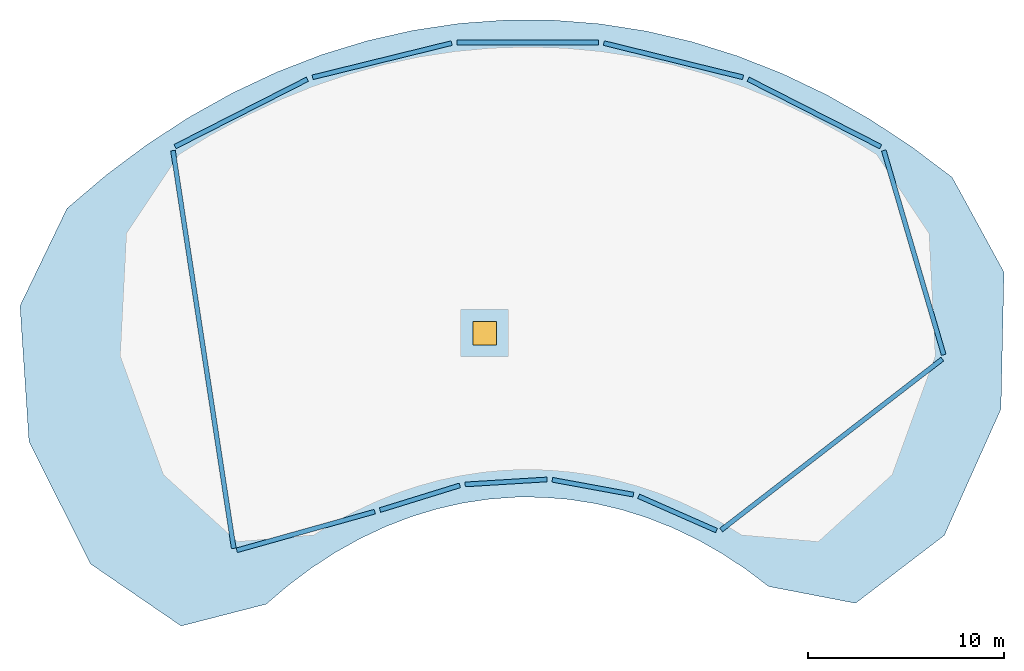
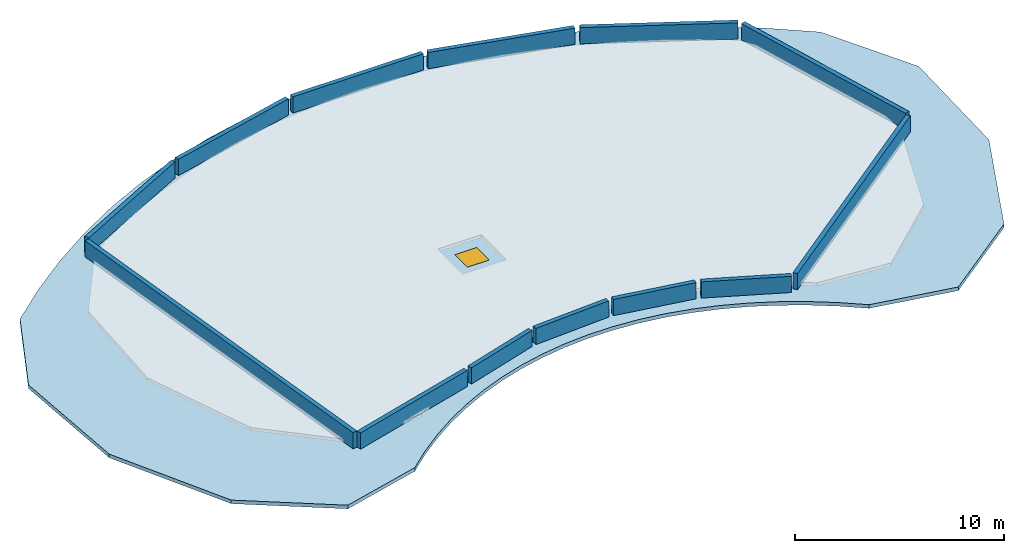
"""IFC4 building model written with IfcOpenShell, lengths in metres."""

from ifc_helpers import new_model, si_unit, direction, frame, frame_2d, origin, origin_2d, place, context, subcontext, project, spatial, polyline, rectangle, outline, extrude, source, transform, mapped, material, layer, layer_set, type_object, type_shapes, element, fill, save


model = new_model("IFC4")

# Units and contexts
model_context = context("Model", 3, precision=1e-05, world=origin(), true_north=direction((0.0, 1.0)))
body_context = subcontext(model_context, "Body", "Model", "MODEL_VIEW")
ifc_project = project(units=[si_unit("LENGTHUNIT", "METRE"), si_unit("AREAUNIT", "SQUARE_METRE"), si_unit("VOLUMEUNIT", "CUBIC_METRE"), si_unit("PLANEANGLEUNIT", "RADIAN"), si_unit("MASSUNIT", "GRAM", prefix="KILO")], contexts=[model_context])

# Site, building, storey
site_placement = place(None, origin())
site = spatial("IfcSite", under=ifc_project, at=site_placement, CompositionType="ELEMENT")
building_placement = place(site_placement, origin())
building = spatial("IfcBuilding", under=site, at=building_placement, Name="Breltana Convention Tower", CompositionType="ELEMENT")
storey_1_placement = place(building_placement, frame((0.0, 0.0, 328.199951171875)))
storey_1 = spatial("IfcBuildingStorey", under=building, at=storey_1_placement, Name="ROOF", CompositionType="ELEMENT", Elevation=328.199951171875)

# Slab, opening
ifc_material_1 = material(Name="Concrete C40/50", Category="concrete")
ifc_layer_1 = layer(ifc_material_1, 0.2099609375, Name="Concrete C40/50")
ifc_layer_set_1 = layer_set([ifc_layer_1], Name="Concrete C40/50")
slab_type = type_object("IfcSlabType", Name="SL-CANOPY-210", PredefinedType="ROOF", material=ifc_layer_set_1)
slab_placement = place(storey_1_placement, frame((0.0, 0.0, -0.2099609375)))
slab = element("IfcSlab", 1, at=slab_placement, inside=storey_1, type_object=slab_type, Name="L78 Curved Observation Crown Canopy Roof Slab", PredefinedType="ROOF", context=body_context, shape_type="SweptSolid", body=[
    extrude(outline(polyline([(69.68310546875, 70.356201171875), (67.602294921875, 71.92578125), (65.45849609375, 73.334716796875), (63.258544921875, 74.578369140625), (61.009521484375, 75.65283203125), (58.71875, 76.554931640625), (56.393310546875, 77.281494140625), (54.041015625, 77.830078125), (51.669189453125, 78.19921875), (49.28564453125, 78.3876953125), (46.89794921875, 78.394775390625), (44.513916015625, 78.22021484375), (42.140869140625, 77.864990234375), (39.78662109375, 77.330078125), (37.458984375, 76.6171875), (35.165283203125, 75.728515625), (32.91259765625, 74.6669921875), (30.708740234375, 73.43603515625), (28.560302734375, 72.039794921875), (26.474609375, 70.482666015625), (24.4580078125, 68.769287109375), (22.056884765625, 63.7900390625), (22.5166015625, 56.851318359375), (25.66162109375, 50.603271484375), (30.29052734375, 47.432861328125), (34.63525390625, 48.55078125), (35.780029296875, 49.523193359375), (36.964111328125, 50.407470703125), (38.183837890625, 51.2001953125), (39.43505859375, 51.898681640625), (40.713623046875, 52.50146484375), (42.015869140625, 53.005859375), (43.33740234375, 53.41064453125), (44.673828125, 53.71435546875), (46.02099609375, 53.916015625), (47.37451171875, 54.014892578125), (48.72998046875, 54.010986328125), (50.0830078125, 53.904052734375), (51.429443359375, 53.694580078125), (52.764892578125, 53.383056640625), (54.0849609375, 52.970703125), (55.385498046875, 52.45849609375), (56.662353515625, 51.848388671875), (57.9111328125, 51.142333984375), (59.128173828125, 50.342529296875), (60.309326171875, 49.45166015625), (64.745849609375, 48.596435546875), (69.27783203125, 52.060546875), (72.174560546875, 58.5205078125), (72.329345703125, 65.5087890625), (69.68310546875, 70.356201171875)])), origin(), (0.0, 0.0, 1.0), 0.2099609375),
])
opening_placement = place(slab_placement, frame((45.800048828125, 62.39990234375, -0.010009765625)))
opening = element("IfcOpeningElement", 2, at=opening_placement, cuts=slab, Name="Opening RH-01", PredefinedType="OPENING", context=body_context, shape_type="SweptSolid", body=[
    extrude(rectangle(XDim=1.199951171875, YDim=1.199951171875, at=origin_2d()), origin(), (0.0, 0.0, 1.0), 0.22998046875),
])

# Storey
storey_2_placement = place(building_placement, frame((0.0, 0.0, 323.39990234375)))
storey_2 = spatial("IfcBuildingStorey", under=building, at=storey_2_placement, Name="L78", CompositionType="ELEMENT", Elevation=323.39990234375)

# Door
ifc_material_2 = material(Name="Aluminium Insulated Roof Hatch", Category="aluminium")
door_type = type_object("IfcDoorType", Name="DR-HATCH-1200", OperationType="SINGLE_SWING_LEFT", PredefinedType="TRAPDOOR", material=ifc_material_2)
door_placement = place(slab_placement, frame((45.800048828125, 62.39990234375, 0.159912109375)))
door = element("IfcDoor", 3, at=door_placement, inside=storey_2, type_object=door_type, Name="Crown canopy maintenance access hatch", OperationType="SINGLE_SWING_LEFT", OverallHeight=1.199951171875, OverallWidth=1.199951171875, PredefinedType="TRAPDOOR", context=body_context, shape_type="SweptSolid", body=[
    extrude(rectangle(XDim=1.199951171875, YDim=1.199951171875, at=origin_2d()), origin(), (0.0, 0.0, 1.0), 0.050048828125),
])

fill(opening, door)

# Walls
ifc_material_3 = material(Name="Limestone Buff Insulated Wall", Category="masonry")
ifc_layer_2 = layer(ifc_material_3, 0.239990234375, Name="Limestone Buff Insulated Wall")
ifc_layer_set_2 = layer_set([ifc_layer_2], Name="Limestone Buff Insulated Wall")
wall_type = type_object("IfcWallType", Name="WL-PARAPET-240", PredefinedType="PARAPET", material=ifc_layer_set_2)
shared_shape_1 = source(origin(), body_context, "Body", "SweptSolid", [
    extrude(rectangle(XDim=7.591796875, YDim=0.239990234375, at=frame_2d((3.7958984375, 0.0))), origin(), (0.0, 0.0, 1.0), 0.949951171875),
])
type_shapes(wall_type, [shared_shape_1])
for number, where, z_axis, x_axis, name in (
    (4, (66.023681640625, 71.925048828125, 0.0), (0.0, 0.0, 1.0), (-0.891188172707, 0.453633817993, 0.0), "Crown canopy limestone parapet 1"),
    (5, (36.741943359375, 75.368896484375, 0.0), (0.0, 0.0, 1.0), (-0.891188172707, -0.453633817993, 0.0), "Crown canopy limestone parapet 5"),
):
    element("IfcWall", number, at=place(storey_1_placement, frame(where, z_axis=z_axis, x_axis=x_axis)), inside=storey_1, type_object=wall_type, Name=name, PredefinedType="PARAPET", context=body_context, shape_type="MappedRepresentation", body=[
        mapped(shared_shape_1, transform((0.0, 0.0, 0.0), scale=1.0)),
    ])
shared_shape_2 = source(origin(), body_context, "Body", "SweptSolid", [
    extrude(rectangle(XDim=7.321044921875, YDim=0.239990234375, at=frame_2d((3.66064453125, 0.0))), origin(), (0.0, 0.0, 1.0), 0.949951171875),
])
for number, where, z_axis, x_axis, name in (
    (6, (58.997314453125, 75.4658203125, 0.0), (0.0, 0.0, 1.0), (-0.971059395494, 0.238838125984, 0.0), "Crown canopy limestone parapet 2"),
    (7, (44.11181640625, 77.21435546875, 0.0), (0.0, 0.0, 1.0), (-0.971059395494, -0.238838125984, 0.0), "Crown canopy limestone parapet 4"),
):
    element("IfcWall", number, at=place(storey_1_placement, frame(where, z_axis=z_axis, x_axis=x_axis)), inside=storey_1, type_object=wall_type, Name=name, PredefinedType="PARAPET", context=body_context, shape_type="MappedRepresentation", body=[
        mapped(shared_shape_2, transform((0.0, 0.0, 0.0), scale=1.0)),
    ])
shared_shape_3 = source(origin(), body_context, "Body", "SweptSolid", [
    extrude(rectangle(XDim=7.224609375, YDim=0.239990234375, at=frame_2d((3.6123046875, 0.0))), origin(), (0.0, 0.0, 1.0), 0.949951171875),
])
wall_1_placement = place(storey_1_placement, frame((51.6123046875, 77.247802734375, 0.0), z_axis=(0.0, 0.0, 1.0), x_axis=(-1.0, 0.0, 0.0)))
element("IfcWall", 8, at=wall_1_placement, inside=storey_1, type_object=wall_type, Name="Crown canopy limestone parapet 3", PredefinedType="PARAPET", context=body_context, shape_type="MappedRepresentation", body=[
    mapped(shared_shape_3, transform((0.0, 0.0, 0.0), scale=1.0)),
])
shared_shape_4 = source(origin(), body_context, "Body", "SweptSolid", [
    extrude(rectangle(XDim=20.556884765625, YDim=0.239990234375, at=frame_2d((10.2783203125, 0.0))), origin(), (0.0, 0.0, 1.0), 0.949951171875),
])
wall_2_placement = place(storey_1_placement, frame((29.87255859375, 71.72314453125, 0.0), z_axis=(0.0, 0.0, 1.0), x_axis=(0.151091485332, -0.988519783849, 0.0)))
element("IfcWall", 9, at=wall_2_placement, inside=storey_1, type_object=wall_type, Name="Crown canopy limestone parapet 6", PredefinedType="PARAPET", context=body_context, shape_type="MappedRepresentation", body=[
    mapped(shared_shape_4, transform((0.0, 0.0, 0.0), scale=1.0)),
])
shared_shape_5 = source(origin(), body_context, "Body", "SweptSolid", [
    extrude(rectangle(XDim=7.31884765625, YDim=0.239990234375, at=frame_2d((3.659423828125, 0.0))), origin(), (0.0, 0.0, 1.0), 0.949951171875),
])
wall_3_placement = place(storey_1_placement, frame((33.134521484375, 51.3017578125, 0.0), z_axis=(0.0, 0.0, 1.0), x_axis=(0.962890191886, 0.269893457443, 0.0)))
element("IfcWall", 10, at=wall_3_placement, inside=storey_1, type_object=wall_type, Name="Crown canopy limestone parapet 7", PredefinedType="PARAPET", context=body_context, shape_type="MappedRepresentation", body=[
    mapped(shared_shape_5, transform((0.0, 0.0, 0.0), scale=1.0)),
])
shared_shape_6 = source(origin(), body_context, "Body", "SweptSolid", [
    extrude(rectangle(XDim=4.26806640625, YDim=0.239990234375, at=frame_2d((2.134033203125, 0.0))), origin(), (0.0, 0.0, 1.0), 0.949951171875),
])
wall_4_placement = place(storey_1_placement, frame((40.4501953125, 53.356201171875, 0.0), z_axis=(0.0, 0.0, 1.0), x_axis=(0.955323967849, 0.295560681509, 0.0)))
element("IfcWall", 11, at=wall_4_placement, inside=storey_1, type_object=wall_type, Name="Crown canopy limestone parapet 8", PredefinedType="PARAPET", context=body_context, shape_type="MappedRepresentation", body=[
    mapped(shared_shape_6, transform((0.0, 0.0, 0.0), scale=1.0)),
])
shared_shape_7 = source(origin(), body_context, "Body", "SweptSolid", [
    extrude(rectangle(XDim=4.18310546875, YDim=0.239990234375, at=frame_2d((2.091552734375, 0.0))), origin(), (0.0, 0.0, 1.0), 0.949951171875),
])
wall_5_placement = place(storey_1_placement, frame((44.801025390625, 54.66748046875, 0.0), z_axis=(0.0, 0.0, 1.0), x_axis=(0.998152549317, 0.060757619216, 0.0)))
element("IfcWall", 12, at=wall_5_placement, inside=storey_1, type_object=wall_type, Name="Crown canopy limestone parapet 9", PredefinedType="PARAPET", context=body_context, shape_type="MappedRepresentation", body=[
    mapped(shared_shape_7, transform((0.0, 0.0, 0.0), scale=1.0)),
])
shared_shape_8 = source(origin(), body_context, "Body", "SweptSolid", [
    extrude(rectangle(XDim=4.211669921875, YDim=0.239990234375, at=frame_2d((2.10595703125, 0.0))), origin(), (0.0, 0.0, 1.0), 0.949951171875),
])
wall_6_placement = place(storey_1_placement, frame((49.253662109375, 54.90478515625, 0.0), z_axis=(0.0, 0.0, 1.0), x_axis=(0.9835614569, -0.180573698252, 0.0)))
element("IfcWall", 13, at=wall_6_placement, inside=storey_1, type_object=wall_type, Name="Crown canopy limestone parapet 10", PredefinedType="PARAPET", context=body_context, shape_type="MappedRepresentation", body=[
    mapped(shared_shape_8, transform((0.0, 0.0, 0.0), scale=1.0)),
])
shared_shape_9 = source(origin(), body_context, "Body", "SweptSolid", [
    extrude(rectangle(XDim=4.348876953125, YDim=0.239990234375, at=frame_2d((2.17431640625, 0.0))), origin(), (0.0, 0.0, 1.0), 0.949951171875),
])
wall_7_placement = place(storey_1_placement, frame((53.661865234375, 54.062744140625, 0.0), z_axis=(0.0, 0.0, 1.0), x_axis=(0.915117081952, -0.403188202109, 0.0)))
element("IfcWall", 14, at=wall_7_placement, inside=storey_1, type_object=wall_type, Name="Crown canopy limestone parapet 11", PredefinedType="PARAPET", context=body_context, shape_type="MappedRepresentation", body=[
    mapped(shared_shape_9, transform((0.0, 0.0, 0.0), scale=1.0)),
])
shared_shape_10 = source(origin(), body_context, "Body", "SweptSolid", [
    extrude(rectangle(XDim=14.278076171875, YDim=0.239990234375, at=frame_2d((7.13916015625, 0.0))), origin(), (0.0, 0.0, 1.0), 0.949951171875),
])
wall_8_placement = place(storey_1_placement, frame((57.880615234375, 52.33837890625, 0.0), z_axis=(0.0, 0.0, 1.0), x_axis=(0.791199255904, 0.611558449747, 0.0)))
element("IfcWall", 15, at=wall_8_placement, inside=storey_1, type_object=wall_type, Name="Crown canopy limestone parapet 12", PredefinedType="PARAPET", context=body_context, shape_type="MappedRepresentation", body=[
    mapped(shared_shape_10, transform((0.0, 0.0, 0.0), scale=1.0)),
])
shared_shape_11 = source(origin(), body_context, "Body", "SweptSolid", [
    extrude(rectangle(XDim=10.876708984375, YDim=0.239990234375, at=frame_2d((5.4384765625, 0.0))), origin(), (0.0, 0.0, 1.0), 0.949951171875),
])
wall_9_placement = place(storey_1_placement, frame((69.2490234375, 61.290283203125, 0.0), z_axis=(0.0, 0.0, 1.0), x_axis=(-0.281432231735, 0.959581105973, 0.0)))
element("IfcWall", 16, at=wall_9_placement, inside=storey_1, type_object=wall_type, Name="Crown canopy limestone parapet 13", PredefinedType="PARAPET", context=body_context, shape_type="MappedRepresentation", body=[
    mapped(shared_shape_11, transform((0.0, 0.0, 0.0), scale=1.0)),
])

save(model, "model.ifc")
